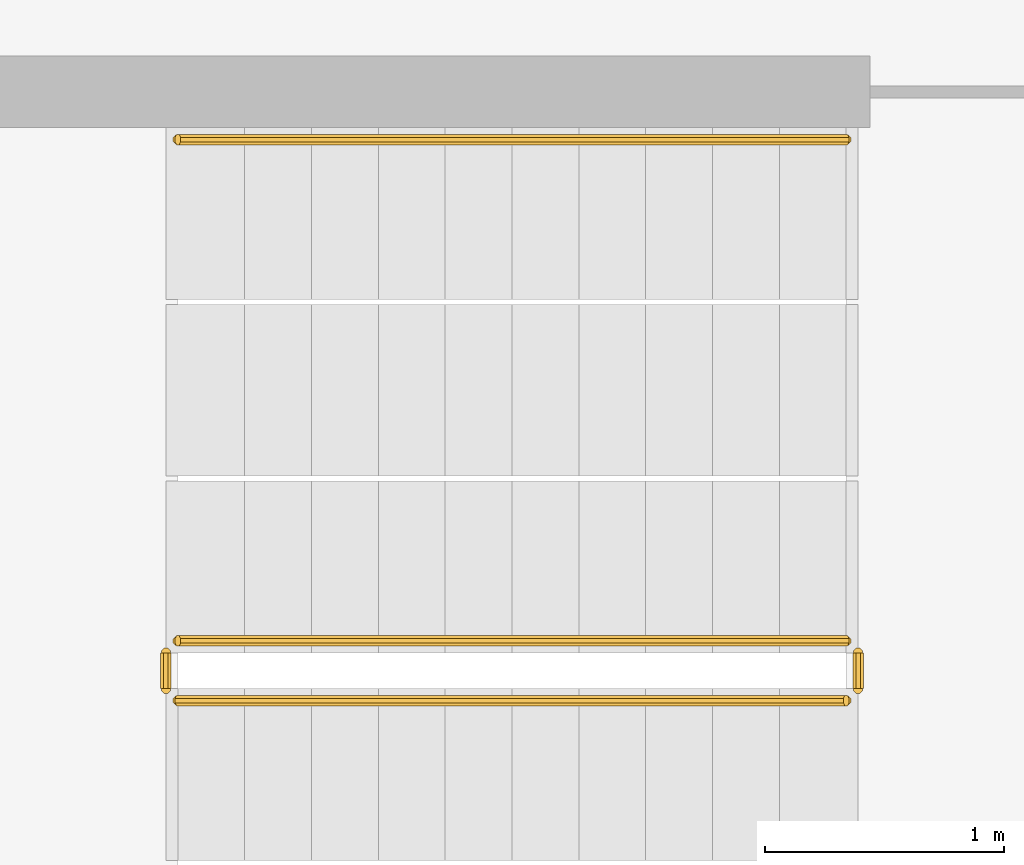
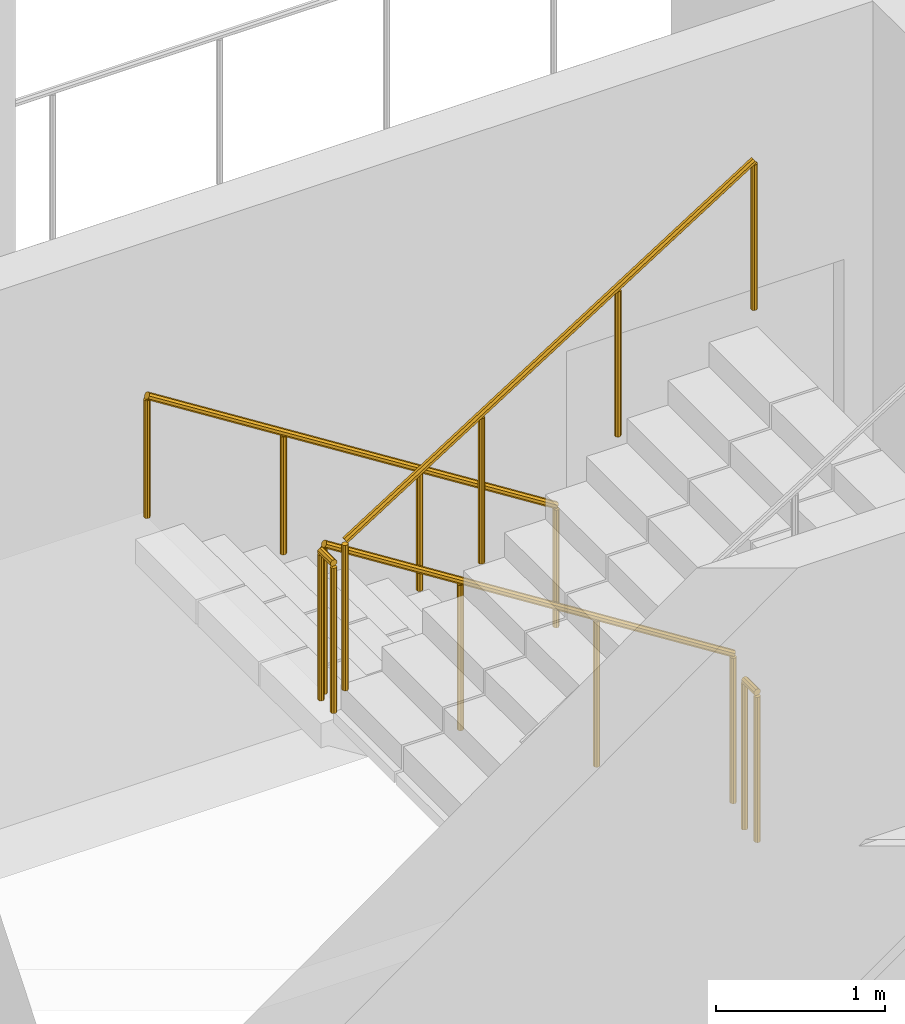
# One storey, part 20 of 27: 5 railings.
"""IFC4 building model written with IfcOpenShell, lengths in metres."""

from ifc_helpers import new_model, si_unit, direction, frame, origin, place, context, subcontext, project, spatial, polyline, outline, extrude, material, type_object, element, save


model = new_model("IFC4")

# Units and contexts
model_context = context("Model", 3, precision=1e-05, world=origin(), true_north=direction((0.0, 1.0)))
body_context = subcontext(model_context, "Body", "Model", "MODEL_VIEW")
ifc_project = project(units=[si_unit("LENGTHUNIT", "METRE"), si_unit("AREAUNIT", "SQUARE_METRE"), si_unit("VOLUMEUNIT", "CUBIC_METRE"), si_unit("PLANEANGLEUNIT", "RADIAN"), si_unit("MASSUNIT", "GRAM", prefix="KILO")], contexts=[model_context])

# Site, building, storey
site_placement = place(None, origin())
site = spatial("IfcSite", under=ifc_project, at=site_placement, CompositionType="ELEMENT")
building_placement = place(site_placement, origin())
building = spatial("IfcBuilding", under=site, at=building_placement, Name="Cormorant Relay Tower", CompositionType="ELEMENT")
storey_placement = place(building_placement, frame((0.0, 0.0, 232.5)))
storey = spatial("IfcBuildingStorey", under=building, at=storey_placement, Name="L51", CompositionType="ELEMENT", Elevation=232.5)

# Railings
ifc_material_1 = material(Name="Steel ASTM A572 Grade 50 (Fy 345 MPa)", Category="steel")
railing_type_1 = type_object("IfcRailingType", Name="Stair guard 1100", PredefinedType="GUARDRAIL", material=ifc_material_1)
railing_1_placement = place(storey_placement, frame((1.60009765625, -18.27490234375, 0.17724609375)))
element("IfcRailing", 1, at=railing_1_placement, inside=storey, type_object=railing_type_1, Name="L51 RK1 stair guard 1", PredefinedType="GUARDRAIL", context=body_context, shape_type="SweptSolid", body=[
    extrude(outline(polyline([(0.022216796875, 0.00927734375), (0.00927734375, 0.022216796875), (-0.00927734375, 0.022216796875), (-0.022216796875, 0.00927734375), (-0.022216796875, -0.00927734375), (-0.00927734375, -0.022216796875), (0.00927734375, -0.022216796875), (0.022216796875, -0.00927734375), (0.022216796875, 0.00927734375)])), frame((0.0, 0.0, 1.076171875), z_axis=(-0.844908973607, 0.0, 0.534910110503), x_axis=(0.0, -1.0, 0.0)), (0.0, 0.0, 1.0), 3.31396484375),
    extrude(outline(polyline([(0.019287109375, 0.008056640625), (0.008056640625, 0.019287109375), (-0.008056640625, 0.019287109375), (-0.019287109375, 0.008056640625), (-0.019287109375, -0.008056640625), (-0.008056640625, -0.019287109375), (0.008056640625, -0.019287109375), (0.019287109375, -0.008056640625), (0.019287109375, 0.008056640625)])), origin(), (0.0, 0.0, 1.0), 1.052001953125),
    extrude(outline(polyline([(0.019287109375, 0.008056640625), (0.008056640625, 0.019287109375), (-0.008056640625, 0.019287109375), (-0.019287109375, 0.008056640625), (-0.019287109375, -0.008056640625), (-0.008056640625, -0.019287109375), (0.008056640625, -0.019287109375), (0.019287109375, -0.008056640625), (0.019287109375, 0.008056640625)])), frame((-0.933349609375, 0.0, 0.5908203125)), (0.0, 0.0, 1.0), 1.052001953125),
    extrude(outline(polyline([(0.019287109375, 0.008056640625), (0.008056640625, 0.019287109375), (-0.008056640625, 0.019287109375), (-0.019287109375, 0.008056640625), (-0.019287109375, -0.008056640625), (-0.008056640625, -0.019287109375), (0.008056640625, -0.019287109375), (0.019287109375, -0.008056640625), (0.019287109375, 0.008056640625)])), frame((-1.86669921875, 0.0, 1.181884765625)), (0.0, 0.0, 1.0), 1.052001953125),
    extrude(outline(polyline([(0.019287109375, 0.008056640625), (0.008056640625, 0.019287109375), (-0.008056640625, 0.019287109375), (-0.019287109375, 0.008056640625), (-0.019287109375, -0.008056640625), (-0.008056640625, -0.019287109375), (0.008056640625, -0.019287109375), (0.019287109375, -0.008056640625), (0.019287109375, 0.008056640625)])), frame((-2.800048828125, 0.0, 1.772705078125)), (0.0, 0.0, 1.0), 1.052001953125),
])
railing_2_placement = place(storey_placement, frame((-1.25, -18.324951171875, 1.949951171875)))
element("IfcRailing", 2, at=railing_2_placement, inside=storey, type_object=railing_type_1, Name="L51 RK1 stair guard 2", PredefinedType="GUARDRAIL", context=body_context, shape_type="SweptSolid", body=[
    extrude(outline(polyline([(0.022216796875, 0.00927734375), (0.00927734375, 0.022216796875), (-0.00927734375, 0.022216796875), (-0.022216796875, 0.00927734375), (-0.022216796875, -0.00927734375), (-0.00927734375, -0.022216796875), (0.00927734375, -0.022216796875), (0.022216796875, -0.00927734375), (0.022216796875, 0.00927734375)])), frame((0.0, 0.0, 1.076171875), z_axis=(0.0, -1.0, 0.0), x_axis=(1.0, 0.0, 0.0)), (0.0, 0.0, 1.0), 0.150146484375),
    extrude(outline(polyline([(0.019287109375, 0.008056640625), (0.008056640625, 0.019287109375), (-0.008056640625, 0.019287109375), (-0.019287109375, 0.008056640625), (-0.019287109375, -0.008056640625), (-0.008056640625, -0.019287109375), (0.008056640625, -0.019287109375), (0.019287109375, -0.008056640625), (0.019287109375, 0.008056640625)])), origin(), (0.0, 0.0, 1.0), 1.052001953125),
    extrude(outline(polyline([(0.019287109375, 0.008056640625), (0.008056640625, 0.019287109375), (-0.008056640625, 0.019287109375), (-0.019287109375, 0.008056640625), (-0.019287109375, -0.008056640625), (-0.008056640625, -0.019287109375), (0.008056640625, -0.019287109375), (0.019287109375, -0.008056640625), (0.019287109375, 0.008056640625)])), frame((0.0, -0.150146484375, 0.0)), (0.0, 0.0, 1.0), 1.052001953125),
])
railing_3_placement = place(storey_placement, frame((-1.199951171875, -18.52490234375, 2.127197265625)))
element("IfcRailing", 3, at=railing_3_placement, inside=storey, type_object=railing_type_1, Name="L51 RK1 stair guard 3", PredefinedType="GUARDRAIL", context=body_context, shape_type="SweptSolid", body=[
    extrude(outline(polyline([(0.022216796875, 0.00927734375), (0.00927734375, 0.022216796875), (-0.00927734375, 0.022216796875), (-0.022216796875, 0.00927734375), (-0.022216796875, -0.00927734375), (-0.00927734375, -0.022216796875), (0.00927734375, -0.022216796875), (0.022216796875, -0.00927734375), (0.022216796875, 0.00927734375)])), frame((0.0, 0.0, 1.076171875), z_axis=(0.844908973607, 0.0, 0.534910110503), x_axis=(0.0, 1.0, 0.0)), (0.0, 0.0, 1.0), 3.31396484375),
    extrude(outline(polyline([(0.019287109375, 0.008056640625), (0.008056640625, 0.019287109375), (-0.008056640625, 0.019287109375), (-0.019287109375, 0.008056640625), (-0.019287109375, -0.008056640625), (-0.008056640625, -0.019287109375), (0.008056640625, -0.019287109375), (0.019287109375, -0.008056640625), (0.019287109375, 0.008056640625)])), origin(), (0.0, 0.0, 1.0), 1.052001953125),
    extrude(outline(polyline([(0.019287109375, 0.008056640625), (0.008056640625, 0.019287109375), (-0.008056640625, 0.019287109375), (-0.019287109375, 0.008056640625), (-0.019287109375, -0.008056640625), (-0.008056640625, -0.019287109375), (0.008056640625, -0.019287109375), (0.019287109375, -0.008056640625), (0.019287109375, 0.008056640625)])), frame((0.933349609375, 0.0, 0.5908203125)), (0.0, 0.0, 1.0), 1.052001953125),
    extrude(outline(polyline([(0.019287109375, 0.008056640625), (0.008056640625, 0.019287109375), (-0.008056640625, 0.019287109375), (-0.019287109375, 0.008056640625), (-0.019287109375, -0.008056640625), (-0.008056640625, -0.019287109375), (0.008056640625, -0.019287109375), (0.019287109375, -0.008056640625), (0.019287109375, 0.008056640625)])), frame((1.86669921875, 0.0, 1.181884765625)), (0.0, 0.0, 1.0), 1.052001953125),
    extrude(outline(polyline([(0.019287109375, 0.008056640625), (0.008056640625, 0.019287109375), (-0.008056640625, 0.019287109375), (-0.019287109375, 0.008056640625), (-0.019287109375, -0.008056640625), (-0.008056640625, -0.019287109375), (0.008056640625, -0.019287109375), (0.019287109375, -0.008056640625), (0.019287109375, 0.008056640625)])), frame((2.800048828125, 0.0, 1.772705078125)), (0.0, 0.0, 1.0), 1.052001953125),
])
railing_4_placement = place(storey_placement, frame((1.64990234375, -18.324951171875, 0.0)))
element("IfcRailing", 4, at=railing_4_placement, inside=storey, type_object=railing_type_1, Name="L51 RK1 stair guard 4", PredefinedType="GUARDRAIL", context=body_context, shape_type="SweptSolid", body=[
    extrude(outline(polyline([(0.022216796875, 0.00927734375), (0.00927734375, 0.022216796875), (-0.00927734375, 0.022216796875), (-0.022216796875, 0.00927734375), (-0.022216796875, -0.00927734375), (-0.00927734375, -0.022216796875), (0.00927734375, -0.022216796875), (0.022216796875, -0.00927734375), (0.022216796875, 0.00927734375)])), frame((0.0, 0.0, 1.076171875), z_axis=(0.0, -1.0, 0.0), x_axis=(1.0, 0.0, 0.0)), (0.0, 0.0, 1.0), 0.150146484375),
    extrude(outline(polyline([(0.019287109375, 0.008056640625), (0.008056640625, 0.019287109375), (-0.008056640625, 0.019287109375), (-0.019287109375, 0.008056640625), (-0.019287109375, -0.008056640625), (-0.008056640625, -0.019287109375), (0.008056640625, -0.019287109375), (0.019287109375, -0.008056640625), (0.019287109375, 0.008056640625)])), origin(), (0.0, 0.0, 1.0), 1.052001953125),
    extrude(outline(polyline([(0.019287109375, 0.008056640625), (0.008056640625, 0.019287109375), (-0.008056640625, 0.019287109375), (-0.019287109375, 0.008056640625), (-0.019287109375, -0.008056640625), (-0.008056640625, -0.019287109375), (0.008056640625, -0.019287109375), (0.019287109375, -0.008056640625), (0.019287109375, 0.008056640625)])), frame((0.0, -0.150146484375, 0.0)), (0.0, 0.0, 1.0), 1.052001953125),
])
ifc_material_2 = material(Name="Steel ASTM A572 Grade 50 (Fy 345 MPa)", Category="steel")
railing_type_2 = type_object("IfcRailingType", Name="Stair handrail 900", PredefinedType="HANDRAIL", material=ifc_material_2)
railing_5_placement = place(storey_placement, frame((1.60009765625, -16.175048828125, 0.17724609375)))
element("IfcRailing", 5, at=railing_5_placement, inside=storey, type_object=railing_type_2, Name="L51 RK1 stair handrail 1", PredefinedType="HANDRAIL", context=body_context, shape_type="SweptSolid", body=[
    extrude(outline(polyline([(0.022216796875, 0.00927734375), (0.00927734375, 0.022216796875), (-0.00927734375, 0.022216796875), (-0.022216796875, 0.00927734375), (-0.022216796875, -0.00927734375), (-0.00927734375, -0.022216796875), (0.00927734375, -0.022216796875), (0.022216796875, -0.00927734375), (0.022216796875, 0.00927734375)])), frame((0.0, 0.0, 0.8759765625), z_axis=(-0.844908973607, 0.0, 0.534910110503), x_axis=(0.0, -1.0, 0.0)), (0.0, 0.0, 1.0), 3.31396484375),
    extrude(outline(polyline([(0.019287109375, 0.008056640625), (0.008056640625, 0.019287109375), (-0.008056640625, 0.019287109375), (-0.019287109375, 0.008056640625), (-0.019287109375, -0.008056640625), (-0.008056640625, -0.019287109375), (0.008056640625, -0.019287109375), (0.019287109375, -0.008056640625), (0.019287109375, 0.008056640625)])), origin(), (0.0, 0.0, 1.0), 0.851806640625),
    extrude(outline(polyline([(0.019287109375, 0.008056640625), (0.008056640625, 0.019287109375), (-0.008056640625, 0.019287109375), (-0.019287109375, 0.008056640625), (-0.019287109375, -0.008056640625), (-0.008056640625, -0.019287109375), (0.008056640625, -0.019287109375), (0.019287109375, -0.008056640625), (0.019287109375, 0.008056640625)])), frame((-0.933349609375, 0.0, 0.5908203125)), (0.0, 0.0, 1.0), 0.851806640625),
    extrude(outline(polyline([(0.019287109375, 0.008056640625), (0.008056640625, 0.019287109375), (-0.008056640625, 0.019287109375), (-0.019287109375, 0.008056640625), (-0.019287109375, -0.008056640625), (-0.008056640625, -0.019287109375), (0.008056640625, -0.019287109375), (0.019287109375, -0.008056640625), (0.019287109375, 0.008056640625)])), frame((-1.86669921875, 0.0, 1.181884765625)), (0.0, 0.0, 1.0), 0.851806640625),
    extrude(outline(polyline([(0.019287109375, 0.008056640625), (0.008056640625, 0.019287109375), (-0.008056640625, 0.019287109375), (-0.019287109375, 0.008056640625), (-0.019287109375, -0.008056640625), (-0.008056640625, -0.019287109375), (0.008056640625, -0.019287109375), (0.019287109375, -0.008056640625), (0.019287109375, 0.008056640625)])), frame((-2.800048828125, 0.0, 1.772705078125)), (0.0, 0.0, 1.0), 0.851806640625),
])

save(model, "model.ifc")
